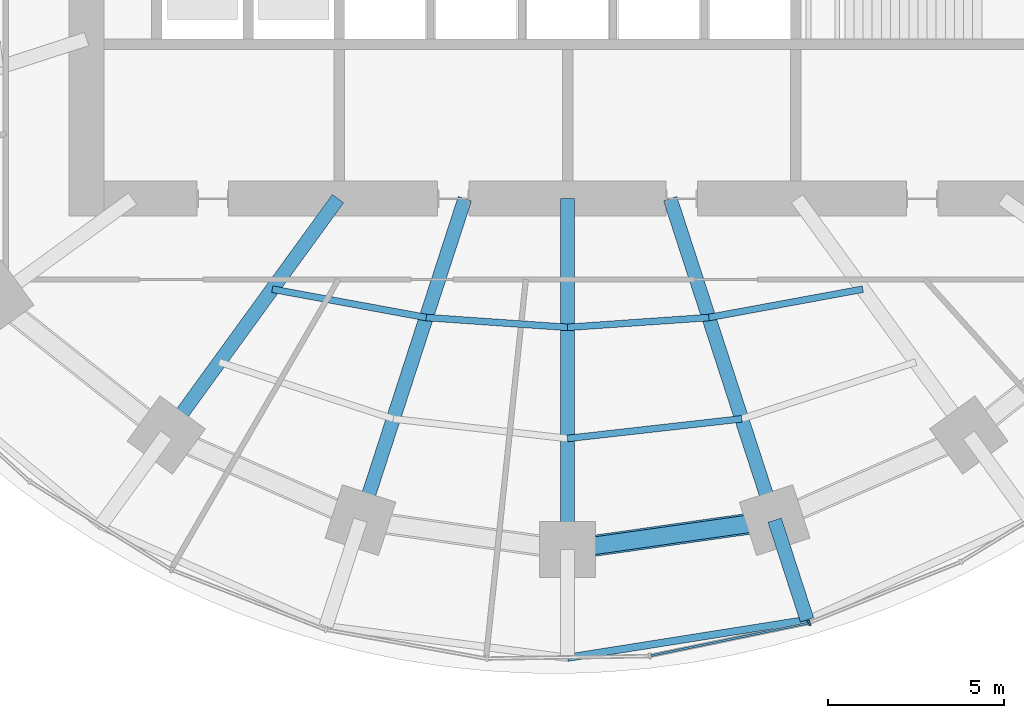
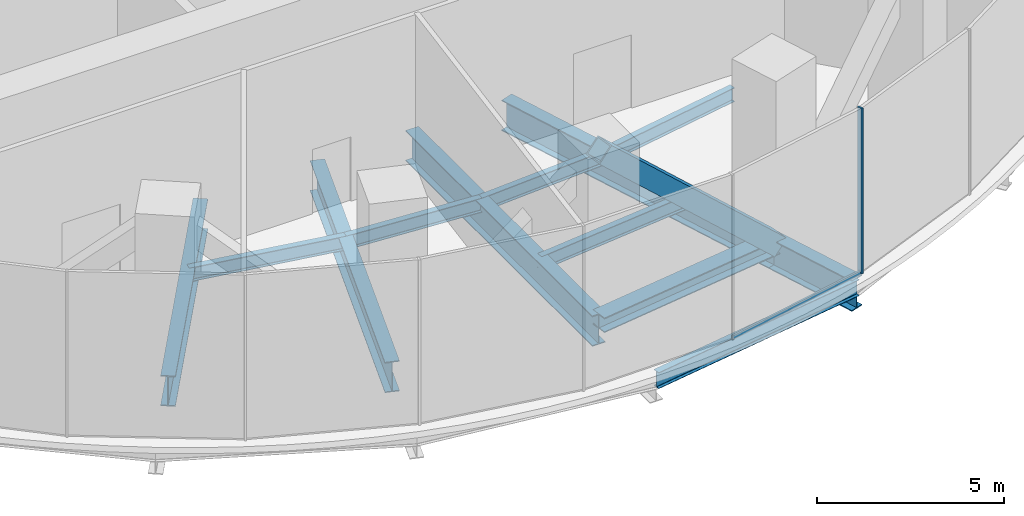
# One storey, part 3 of 14: 11 beams, 4 members, 1 element without a shape of its own.
"""IFC4 building model written with IfcOpenShell, lengths in metres."""

from ifc_helpers import new_model, si_unit, direction, frame, origin, origin_2d, place, context, subcontext, project, spatial, rectangle, hollow_rectangle, i_section, extrude, material, material_profile, profile_set, type_object, element, aggregate, save


model = new_model("IFC4")

# Units and contexts
model_context = context("Model", 3, precision=1e-05, world=origin(), true_north=direction((0.0, 1.0)))
body_context = subcontext(model_context, "Body", "Model", "MODEL_VIEW")
ifc_project = project(units=[si_unit("LENGTHUNIT", "METRE"), si_unit("AREAUNIT", "SQUARE_METRE"), si_unit("VOLUMEUNIT", "CUBIC_METRE"), si_unit("PLANEANGLEUNIT", "RADIAN"), si_unit("MASSUNIT", "GRAM", prefix="KILO")], contexts=[model_context])

# Site, building, storey
site_placement = place(None, origin())
site = spatial("IfcSite", under=ifc_project, at=site_placement, CompositionType="ELEMENT")
building_placement = place(site_placement, origin())
building = spatial("IfcBuilding", under=site, at=building_placement, Name="Marramba Exchange Tower", CompositionType="ELEMENT")
storey_placement = place(building_placement, frame((0.0, 0.0, 166.5)))
storey = spatial("IfcBuildingStorey", under=building, at=storey_placement, Name="L40", CompositionType="ELEMENT", Elevation=166.5)

# Members
ifc_material_1 = material(Name="Steel AS/NZS 3679.2 grade 300", Category="steel")
ifc_material_profile_1 = material_profile(ifc_material_1, i_section(OverallWidth=0.5, OverallDepth=0.48388671875, WebThickness=0.02490234375, FlangeThickness=0.031982421875, at=origin_2d()), Name="500WC340")
ifc_profile_set_1 = profile_set([ifc_material_profile_1], Name="Steel AS/NZS 3679.2 grade 300")
member_type_1 = type_object("IfcMemberType", Name="Belt truss chord 500WC340", PredefinedType="CHORD", material=ifc_profile_set_1)
member_1_placement = place(storey_placement, frame((0.0, -18.99609375, -0.44189453125), z_axis=(0.990036163016, 0.140813337152, 0.0), x_axis=(-0.140813337152, 0.990036163016, 0.0)))
element("IfcMember", 1, at=member_1_placement, inside=storey, type_object=member_type_1, Name="Belt chord L40 TC16-TC17", PredefinedType="CHORD", context=body_context, shape_type="SweptSolid", body=[
    extrude(i_section(OverallWidth=0.5, OverallDepth=0.48388671875, WebThickness=0.02490234375, FlangeThickness=0.031982421875, at=origin_2d()), origin(), (0.0, 0.0, 1.0), 5.958984375),
])
ifc_material_2 = material(Name="Steel AS/NZS 3678 grade 350", Category="steel")
ifc_material_profile_2 = material_profile(ifc_material_2, hollow_rectangle(XDim=0.60009765625, YDim=0.60009765625, WallThickness=0.0400390625, at=origin_2d()), Name="600x600x40BOX")
ifc_profile_set_2 = profile_set([ifc_material_profile_2], Name="Steel AS/NZS 3678 grade 350")
member_type_2 = type_object("IfcMemberType", Name="Belt truss diagonal 600x600x40BOX", PredefinedType="BRACE", material=ifc_profile_set_2)
member_2_placement = place(storey_placement, frame((0.0, -18.99609375, 5.157958984375), z_axis=(0.721466673774, 0.102614564774, -0.684803687), x_axis=(-0.140813337152, 0.990036163016, 0.0)))
element("IfcMember", 2, at=member_2_placement, inside=storey, type_object=member_type_2, Name="Belt truss BT40 diagonal 16", PredefinedType="BRACE", context=body_context, shape_type="SweptSolid", body=[
    extrude(hollow_rectangle(XDim=0.60009765625, YDim=0.60009765625, WallThickness=0.0400390625, at=origin_2d()), origin(), (0.0, 0.0, 1.0), 8.17724609375),
])

# Beams
ifc_material_profile_3 = material_profile(ifc_material_1, i_section(OverallWidth=0.39990234375, OverallDepth=1.0, WebThickness=0.01611328125, FlangeThickness=0.031982421875, at=origin_2d()), Name="1000WB322")
ifc_profile_set_3 = profile_set([ifc_material_profile_3], Name="Steel AS/NZS 3679.2 grade 300")
beam_type_1 = type_object("IfcBeamType", Name="Cantilever girder 1000WB322", PredefinedType="BEAM", material=ifc_profile_set_3)
beam_1_placement = place(storey_placement, frame((5.899658203125, -18.156982421875, -0.699951171875), z_axis=(0.30903246226, -0.951051490336, 0.0), x_axis=(0.951051490336, 0.30903246226, 0.0)))
element("IfcBeam", 3, at=beam_1_placement, inside=storey, type_object=beam_type_1, Name="Cantilever girder L40 TC17", PredefinedType="BEAM", context=body_context, shape_type="SweptSolid", body=[
    extrude(i_section(OverallWidth=0.39990234375, OverallDepth=1.0, WebThickness=0.01611328125, FlangeThickness=0.031982421875, at=origin_2d()), origin(), (0.0, 0.0, 1.0), 2.986328125),
])
ifc_material_3 = material(Name="Steel AS/NZS 3679.1 grade 300", Category="steel")
ifc_material_profile_4 = material_profile(ifc_material_3, i_section(OverallWidth=0.19091796875, OverallDepth=0.4599609375, WebThickness=0.010009765625, FlangeThickness=0.01611328125, FilletRadius=0.011474609375, at=origin_2d()), Name="460UB82.1")
ifc_profile_set_4 = profile_set([ifc_material_profile_4], Name="Steel AS/NZS 3679.1 grade 300")
beam_type_2 = type_object("IfcBeamType", Name="Floor joist 460UB82.1", PredefinedType="JOIST", material=ifc_profile_set_4)
beam_2_placement = place(storey_placement, frame((-8.41162109375, -11.57763671875, -0.429931640625), z_axis=(0.983455754421, -0.181148500119, 0.0), x_axis=(0.181148500119, 0.983455754421, 0.0)))
element("IfcBeam", 4, at=beam_2_placement, inside=storey, type_object=beam_type_2, Name="Joist L40 bay 14 row 1", PredefinedType="JOIST", context=body_context, shape_type="SweptSolid", body=[
    extrude(i_section(OverallWidth=0.19091796875, OverallDepth=0.4599609375, WebThickness=0.010009765625, FlangeThickness=0.01611328125, FilletRadius=0.011474609375, at=origin_2d()), origin(), (0.0, 0.0, 1.0), 4.4609375),
])
for number, where, z_axis, x_axis, name in (
    (5, (-4.0244140625, -12.3857421875, -0.429931640625), (0.99759625901, -0.069294328838, 0.0), (0.069294328838, 0.99759625901, 0.0), "Joist L40 bay 15 row 1"),
    (6, (0.0, -12.665283203125, -0.429931640625), (0.99759625901, 0.069294328838, 0.0), (-0.069294328838, 0.99759625901, 0.0), "Joist L40 bay 16 row 1"),
):
    element("IfcBeam", number, at=place(storey_placement, frame(where, z_axis=z_axis, x_axis=x_axis)), inside=storey, type_object=beam_type_2, Name=name, PredefinedType="JOIST", context=body_context, shape_type="SweptSolid", body=[
        extrude(i_section(OverallWidth=0.19091796875, OverallDepth=0.4599609375, WebThickness=0.010009765625, FlangeThickness=0.01611328125, FilletRadius=0.011474609375, at=origin_2d()), origin(), (0.0, 0.0, 1.0), 4.0341796875),
    ])
beam_3_placement = place(storey_placement, frame((0.0, -15.83056640625, -0.429931640625), z_axis=(0.993712018573, 0.111966174106, 0.0), x_axis=(-0.111966174106, 0.993712018573, 0.0)))
element("IfcBeam", 7, at=beam_3_placement, inside=storey, type_object=beam_type_2, Name="Joist L40 bay 16 row 2", PredefinedType="JOIST", context=body_context, shape_type="SweptSolid", body=[
    extrude(i_section(OverallWidth=0.19091796875, OverallDepth=0.4599609375, WebThickness=0.010009765625, FlangeThickness=0.01611328125, FilletRadius=0.011474609375, at=origin_2d()), origin(), (0.0, 0.0, 1.0), 4.993408203125),
])
beam_4_placement = place(storey_placement, frame((4.0244140625, -12.3857421875, -0.429931640625), z_axis=(0.983455754421, 0.181148500119, 0.0), x_axis=(-0.181148500119, 0.983455754421, 0.0)))
element("IfcBeam", 8, at=beam_4_placement, inside=storey, type_object=beam_type_2, Name="Joist L40 bay 17 row 1", PredefinedType="JOIST", context=body_context, shape_type="SweptSolid", body=[
    extrude(i_section(OverallWidth=0.19091796875, OverallDepth=0.4599609375, WebThickness=0.010009765625, FlangeThickness=0.01611328125, FilletRadius=0.011474609375, at=origin_2d()), origin(), (0.0, 0.0, 1.0), 4.4609375),
])

# Curtain wall, members
ifc_material_4 = material(Name="Aluminium framing, bronze anodised", Category="aluminium")
curtain_wall_type = type_object("IfcCurtainWallType", Name="Plant floor louvred curtain wall", PredefinedType="USERDEFINED", material=ifc_material_4)
curtain_wall_placement = place(storey_placement, origin())
curtain_wall = element("IfcCurtainWall", 9, at=curtain_wall_placement, inside=storey, type_object=curtain_wall_type, Name="Curtain wall CW6 L40 F21-F25", ObjectType="RIBBON CURTAIN WALL", PredefinedType="USERDEFINED")
ifc_material_5 = material(Name="Aluminium mullion, bronze anodised", Category="aluminium")
ifc_material_profile_5 = material_profile(ifc_material_5, rectangle(XDim=0.159912109375, YDim=0.06005859375, at=origin_2d()), Name="CW6 mullion 60x160")
ifc_profile_set_5 = profile_set([ifc_material_profile_5], Name="Aluminium mullion, bronze anodised")
member_type_3 = type_object("IfcMemberType", Name="Plant floor louvred curtain wall mullion", PredefinedType="MULLION", material=ifc_profile_set_5)
member_3_placement = place(storey_placement, frame((6.881103515625, -21.0810546875, 0.0), z_axis=(0.0, 0.0, 1.0), x_axis=(-0.372209067082, 0.928148916059, 0.0)))
member_3 = element("IfcMember", 10, at=member_3_placement, type_object=member_type_3, Name="CW6 mullion 1", PredefinedType="MULLION", context=body_context, shape_type="SweptSolid", body=[
    extrude(rectangle(XDim=0.159912109375, YDim=0.06005859375, at=origin_2d()), origin(), (0.0, 0.0, 1.0), 5.39990234375),
])
ifc_material_6 = material(Name="Aluminium transom, bronze anodised", Category="aluminium")
ifc_material_profile_6 = material_profile(ifc_material_6, rectangle(XDim=0.06005859375, YDim=0.1201171875, at=origin_2d()), Name="CW6 transom 60x120")
ifc_profile_set_6 = profile_set([ifc_material_profile_6], Name="Aluminium transom, bronze anodised")
member_type_4 = type_object("IfcMemberType", Name="Plant floor louvred curtain wall transom", PredefinedType="USERDEFINED", material=ifc_profile_set_6)
member_4_placement = place(storey_placement, frame((2.374267578125, -22.017822265625, 0.030029296875), z_axis=(0.979310422034, 0.202363774661, 0.0), x_axis=(-0.202363774661, 0.979310422034, 0.0)))
member_4 = element("IfcMember", 11, at=member_4_placement, type_object=member_type_4, Name="CW6 sill transom", ObjectType="TRANSOM", PredefinedType="USERDEFINED", context=body_context, shape_type="SweptSolid", body=[
    extrude(rectangle(XDim=0.06005859375, YDim=0.1201171875, at=origin_2d()), origin(), (0.0, 0.0, 1.0), 4.57373046875),
])
aggregate(curtain_wall, [member_4, member_3])

# Beams
ifc_material_profile_7 = material_profile(ifc_material_1, i_section(OverallWidth=0.39990234375, OverallDepth=1.0, WebThickness=0.01611328125, FlangeThickness=0.031982421875, at=origin_2d()), Name="1000WB322")
ifc_profile_set_7 = profile_set([ifc_material_profile_7], Name="Steel AS/NZS 3679.2 grade 300")
beam_type_3 = type_object("IfcBeamType", Name="Radial girder 1000WB322", PredefinedType="BEAM", material=ifc_profile_set_7)
beam_5_placement = place(storey_placement, frame((-6.538818359375, -9.0, -0.699951171875), z_axis=(-0.587787877172, -0.809015087282, 0.0), x_axis=(0.809015087282, -0.587787877172, 0.0)))
element("IfcBeam", 12, at=beam_5_placement, inside=storey, type_object=beam_type_3, Name="Radial girder L40 TC14", PredefinedType="BEAM", context=body_context, shape_type="SweptSolid", body=[
    extrude(i_section(OverallWidth=0.39990234375, OverallDepth=1.0, WebThickness=0.01611328125, FlangeThickness=0.031982421875, at=origin_2d()), origin(), (0.0, 0.0, 1.0), 8.322021484375),
])
beam_6_placement = place(storey_placement, frame((-2.92431640625, -9.0, -0.699951171875), z_axis=(-0.309022428985, -0.951054750466, 0.0), x_axis=(0.951054750466, -0.309022428985, 0.0)))
element("IfcBeam", 13, at=beam_6_placement, inside=storey, type_object=beam_type_3, Name="Radial girder L40 TC15", PredefinedType="BEAM", context=body_context, shape_type="SweptSolid", body=[
    extrude(i_section(OverallWidth=0.39990234375, OverallDepth=1.0, WebThickness=0.01611328125, FlangeThickness=0.031982421875, at=origin_2d()), origin(), (0.0, 0.0, 1.0), 9.628173828125),
])
beam_7_placement = place(storey_placement, frame((0.0, -9.0, -0.699951171875), z_axis=(0.0, -1.0, 0.0), x_axis=(1.0, 0.0, 0.0)))
element("IfcBeam", 14, at=beam_7_placement, inside=storey, type_object=beam_type_3, Name="Radial girder L40 TC16", PredefinedType="BEAM", context=body_context, shape_type="SweptSolid", body=[
    extrude(i_section(OverallWidth=0.39990234375, OverallDepth=1.0, WebThickness=0.01611328125, FlangeThickness=0.031982421875, at=origin_2d()), origin(), (0.0, 0.0, 1.0), 9.99609375),
])
beam_8_placement = place(storey_placement, frame((2.92431640625, -9.0, -0.699951171875), z_axis=(0.309022428985, -0.951054750466, 0.0), x_axis=(0.951054750466, 0.309022428985, 0.0)))
element("IfcBeam", 15, at=beam_8_placement, inside=storey, type_object=beam_type_3, Name="Radial girder L40 TC17", PredefinedType="BEAM", context=body_context, shape_type="SweptSolid", body=[
    extrude(i_section(OverallWidth=0.39990234375, OverallDepth=1.0, WebThickness=0.01611328125, FlangeThickness=0.031982421875, at=origin_2d()), origin(), (0.0, 0.0, 1.0), 9.628173828125),
])
ifc_material_profile_8 = material_profile(ifc_material_3, i_section(OverallWidth=0.208984375, OverallDepth=0.528076171875, WebThickness=0.009521484375, FlangeThickness=0.01318359375, FilletRadius=0.013916015625, at=origin_2d()), Name="530UB82.0")
ifc_profile_set_8 = profile_set([ifc_material_profile_8], Name="Steel AS/NZS 3679.1 grade 300")
beam_type_4 = type_object("IfcBeamType", Name="Slab edge beam 530UB82.0", PredefinedType="SPANDREL", material=ifc_profile_set_8)
beam_9_placement = place(storey_placement, frame((0.0, -22.076904296875, -0.464111328125), z_axis=(0.987705008555, 0.15632919137, 0.0), x_axis=(-0.15632919137, 0.987705008555, 0.0)))
element("IfcBeam", 16, at=beam_9_placement, inside=storey, type_object=beam_type_4, Name="Slab edge beam L40 TC16-TC17", PredefinedType="SPANDREL", context=body_context, shape_type="SweptSolid", body=[
    extrude(i_section(OverallWidth=0.208984375, OverallDepth=0.528076171875, WebThickness=0.009521484375, FlangeThickness=0.01318359375, FilletRadius=0.013916015625, at=origin_2d()), origin(), (0.0, 0.0, 1.0), 6.907470703125),
])

save(model, "model.ifc")
